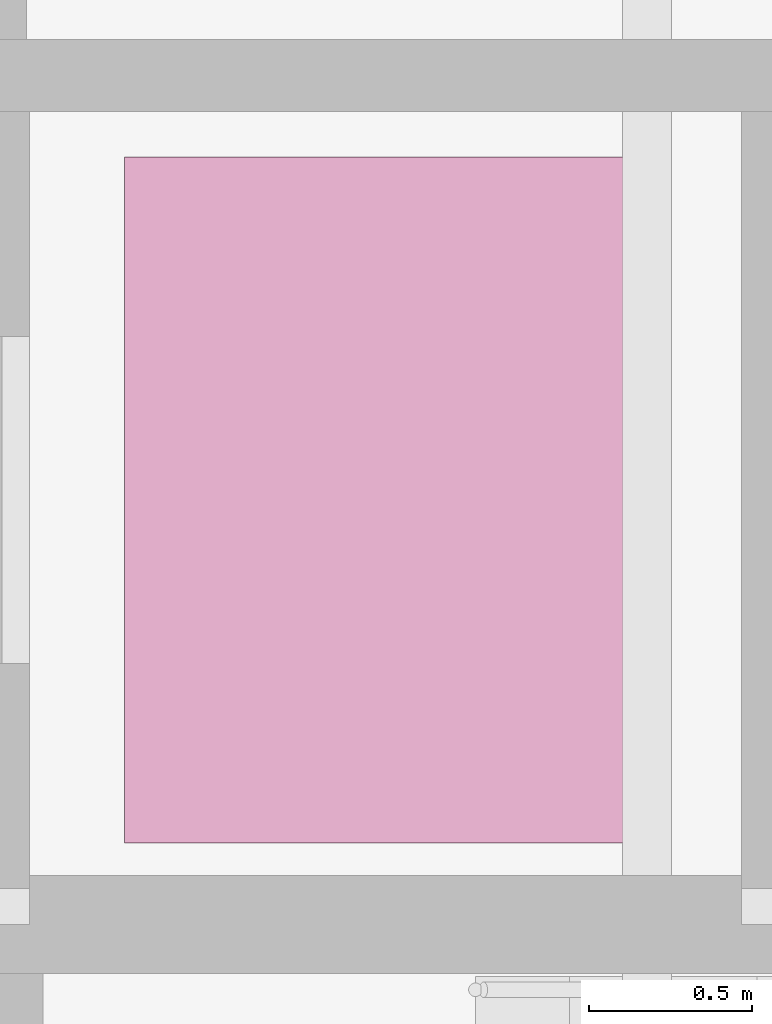
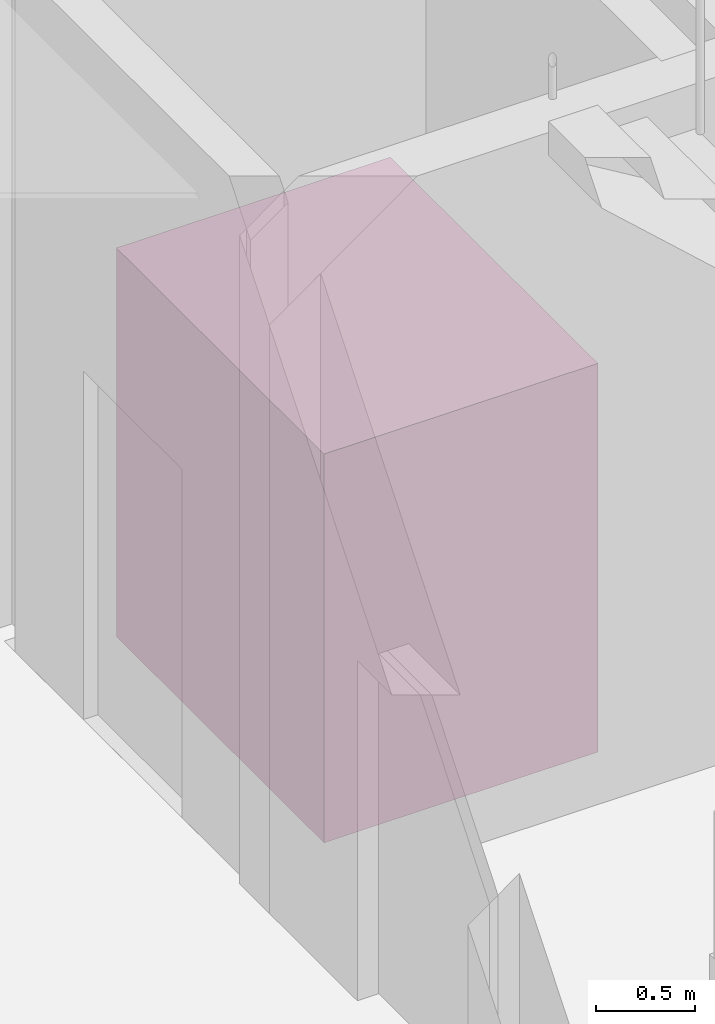
# One storey, part 146 of 146: 1 transport element.
"""IFC4 building model written with IfcOpenShell, lengths in metres."""

from ifc_helpers import new_model, si_unit, direction, frame, origin, origin_2d, place, context, subcontext, project, spatial, rectangle, extrude, material, type_object, element, save


model = new_model("IFC4")

# Units and contexts
model_context = context("Model", 3, precision=1e-05, world=origin(), true_north=direction((0.0, 1.0)))
body_context = subcontext(model_context, "Body", "Model", "MODEL_VIEW")
ifc_project = project(units=[si_unit("LENGTHUNIT", "METRE"), si_unit("AREAUNIT", "SQUARE_METRE"), si_unit("VOLUMEUNIT", "CUBIC_METRE"), si_unit("PLANEANGLEUNIT", "RADIAN"), si_unit("MASSUNIT", "GRAM", prefix="KILO")], contexts=[model_context])

# Site, building, storey
site_placement = place(None, origin())
site = spatial("IfcSite", under=ifc_project, at=site_placement, CompositionType="ELEMENT")
building_placement = place(site_placement, origin())
building = spatial("IfcBuilding", under=site, at=building_placement, Name="Hawrajan Terrace Health Centre", CompositionType="ELEMENT")
storey_placement = place(building_placement, frame((0.0, 0.0, 4.5)))
storey = spatial("IfcBuildingStorey", under=building, at=storey_placement, Name="L01", CompositionType="ELEMENT", Elevation=4.5)

# Transport element
ifc_material = material(Name="Anodized bronze and stainless steel rehabilitation elevator car", Category="steel")
transport_element_type = type_object("IfcTransportElementType", Name="AccessiblePassengerLift_1600kg", PredefinedType="ELEVATOR", material=ifc_material)
transport_element_placement = place(storey_placement, frame((152.60009765625, 16.5, 0.0), z_axis=(0.0, 0.0, 1.0), x_axis=(1.0, 0.0, 0.0)))
element("IfcTransportElement", 1, at=transport_element_placement, inside=storey, type_object=transport_element_type, Name="Elevator LC-06", PredefinedType="ELEVATOR", context=body_context, shape_type="SweptSolid", body=[
    extrude(rectangle(XDim=1.60009765625, YDim=2.10009765625, at=origin_2d()), origin(), (0.0, 0.0, 1.0), 2.39990234375),
])

save(model, "model.ifc")
